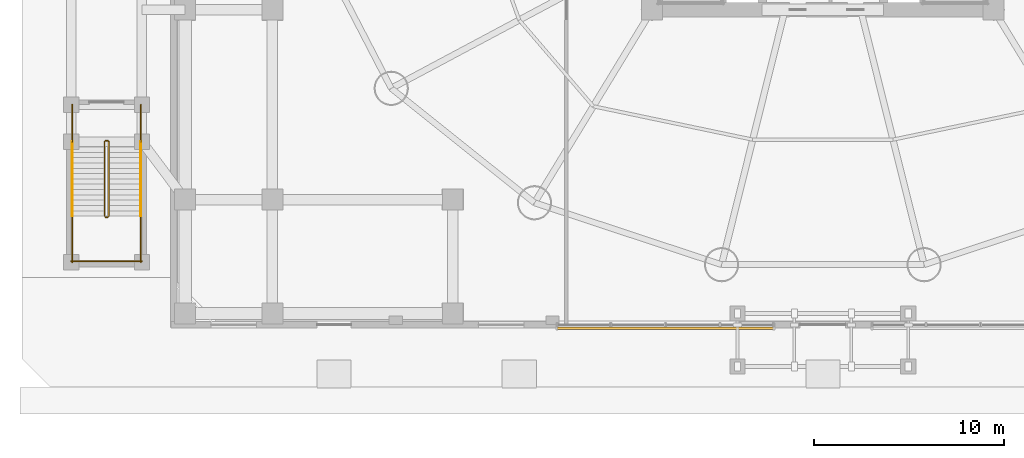
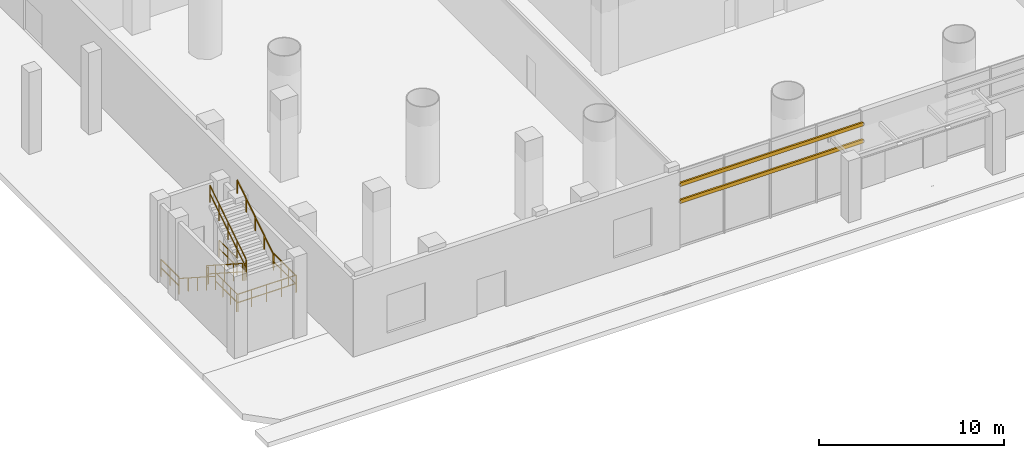
# One storey, part 16 of 25: 11 railings, 2 shading devices.
"""IFC4 building model written with IfcOpenShell, lengths in metres."""

import ifcopenshell
import ifcopenshell.guid

model = None  # the IFC model being written
_history = None  # IfcOwnerHistory: only IFC2X3 demands one
_inside = {}  # id of a spatial element -> (the spatial element, [elements in it])
_under = {}  # id of a project, library or spatial element -> (it, [spatial elements below it])
_declared = {}  # id of a project -> (the project, [libraries it declares])
_typed = {}  # id of a type object -> (the type object, [elements of that type])
_made_of = {}  # id of a material, layer set ... -> (it, [elements and type objects made of it])


def new_model(schema):
    """Start an empty IFC model of exactly this schema.

    Asked for "IFC4X3", IfcOpenShell would pick the latest addendum, in which some entities
    have other attributes; the version numbers below select the first issue.
    IFC2X3 requires an IfcOwnerHistory on every rooted entity: one is made here for all.
    """
    global model, _history
    if schema == "IFC4X3":
        model = ifcopenshell.file(schema_version=(4, 3, 0, 0))
    else:
        model = ifcopenshell.file(schema=schema)
    _inside.clear()
    _under.clear()
    _declared.clear()
    _typed.clear()
    _made_of.clear()
    _history = None
    if model.schema == "IFC2X3":
        org = make("IfcOrganization", Name="unknown")
        user = make(
            "IfcPersonAndOrganization",
            ThePerson=make("IfcPerson", FamilyName="unknown"),
            TheOrganization=org,
        )
        app = make(
            "IfcApplication",
            ApplicationDeveloper=org,
            Version="unknown",
            ApplicationFullName="unknown",
            ApplicationIdentifier="unknown",
        )
        _history = make(
            "IfcOwnerHistory",
            OwningUser=user,
            OwningApplication=app,
            ChangeAction="ADDED",
            CreationDate=0,
        )
    return model


def make(cls, **values):
    """One entity of the class cls with the attributes given. An attribute that is None is left unset."""
    return model.create_entity(
        cls, **{name: value for name, value in values.items() if value is not None}
    )


def rooted(cls, **values):
    """An entity with a GlobalId (a new one), such as an element, a storey or a relation."""
    return make(cls, GlobalId=ifcopenshell.guid.new(), OwnerHistory=_history, **values)


def si_unit(unit_type, name, prefix=None):
    """IfcSIUnit, for example si_unit("LENGTHUNIT", "METRE", prefix="MILLI")."""
    return make("IfcSIUnit", UnitType=unit_type, Prefix=prefix, Name=name)


def assignment(units):
    """IfcUnitAssignment: the units of a project."""
    return None if units is None else make("IfcUnitAssignment", Units=units)


def point(xyz):
    """IfcCartesianPoint."""
    return None if xyz is None else make("IfcCartesianPoint", Coordinates=xyz)


def direction(xyz):
    """IfcDirection."""
    return None if xyz is None else make("IfcDirection", DirectionRatios=xyz)


def frame(location, z_axis=None, x_axis=None):
    """IfcAxis2Placement3D, a coordinate frame: its origin and axes. An axis left out is left unset."""
    return make(
        "IfcAxis2Placement3D",
        Location=point(location),
        Axis=direction(z_axis),
        RefDirection=direction(x_axis),
    )


def frame_2d(location, x_axis=None):
    """IfcAxis2Placement2D, a coordinate frame in the plane: its origin and x axis."""
    return make(
        "IfcAxis2Placement2D", Location=point(location), RefDirection=direction(x_axis)
    )


def origin():
    """The frame at (0, 0, 0) with its axes left unset."""
    return frame((0.0, 0.0, 0.0))


def origin_2d():
    """The frame at (0, 0) in the plane with its x axis left unset."""
    return frame_2d((0.0, 0.0))


def place(relative_to, where):
    """IfcLocalPlacement: puts the frame where relative to a parent placement (None: the world)."""
    return make(
        "IfcLocalPlacement", PlacementRelTo=relative_to, RelativePlacement=where
    )


def context(
    kind, dimensions, precision=None, world=None, true_north=None, identifier=None
):
    """IfcGeometricRepresentationContext, for example the 3D "Model" context."""
    return make(
        "IfcGeometricRepresentationContext",
        ContextIdentifier=identifier,
        ContextType=kind,
        CoordinateSpaceDimension=dimensions,
        Precision=precision,
        WorldCoordinateSystem=world,
        TrueNorth=true_north,
    )


def subcontext(parent, identifier, kind, view, scale=None):
    """IfcGeometricRepresentationSubContext, for example "Body" below "Model"."""
    return make(
        "IfcGeometricRepresentationSubContext",
        ContextIdentifier=identifier,
        ContextType=kind,
        ParentContext=parent,
        TargetScale=scale,
        TargetView=view,
    )


def project(units=None, contexts=None):
    """IfcProject with its units and contexts."""
    return rooted(
        "IfcProject",
        Name="project",
        RepresentationContexts=contexts,
        UnitsInContext=assignment(units),
    )


def spatial(cls, under=None, at=None, **own):
    """A site, building, storey or space (cls), placed at a placement, below another one or the project."""
    s = rooted(cls, ObjectPlacement=at, **own)
    if under is not None:
        _under.setdefault(under.id(), (under, []))[1].append(s)
    return s


def profile(cls, at=None, kind="AREA", **sizes):
    """A parametric profile (cls). Its sizes go by their IFC names, for example OverallWidth=200.0."""
    return make(cls, ProfileType=kind, Position=at, **sizes)


def rectangle(**sizes):
    """IfcRectangleProfileDef."""
    return profile("IfcRectangleProfileDef", **sizes)


def hollow_rectangle(**sizes):
    """IfcRectangleHollowProfileDef."""
    return profile("IfcRectangleHollowProfileDef", **sizes)


def extrude(swept, where, along, depth):
    """IfcExtrudedAreaSolid: the profile swept, set in the frame where, extruded along a direction by depth."""
    return make(
        "IfcExtrudedAreaSolid",
        SweptArea=swept,
        Position=where,
        ExtrudedDirection=direction(along),
        Depth=depth,
    )


def shape(context_of_items, identifier, shape_type, items):
    """IfcShapeRepresentation: the items that make up one representation, for example the "Body"."""
    return make(
        "IfcShapeRepresentation",
        ContextOfItems=context_of_items,
        RepresentationIdentifier=identifier,
        RepresentationType=shape_type,
        Items=items,
    )


def source(mapping_origin, context_of_items, identifier, shape_type, items):
    """IfcRepresentationMap: a shape defined once, which mapped items show again and again."""
    return make(
        "IfcRepresentationMap",
        MappingOrigin=mapping_origin,
        MappedRepresentation=shape(context_of_items, identifier, shape_type, items),
    )


def transform(
    local_origin,
    x_axis=None,
    y_axis=None,
    z_axis=None,
    scale=None,
    scale2=None,
    scale3=None,
    uniform=True,
):
    """IfcCartesianTransformationOperator3D, or its non-uniform kind. x_axis, y_axis, z_axis: its Axis1, 2, 3."""
    if uniform:
        return make(
            "IfcCartesianTransformationOperator3D",
            Axis1=direction(x_axis),
            Axis2=direction(y_axis),
            LocalOrigin=point(local_origin),
            Scale=scale,
            Axis3=direction(z_axis),
        )
    return make(
        "IfcCartesianTransformationOperator3DnonUniform",
        Axis1=direction(x_axis),
        Axis2=direction(y_axis),
        LocalOrigin=point(local_origin),
        Scale=scale,
        Axis3=direction(z_axis),
        Scale2=scale2,
        Scale3=scale3,
    )


def mapped(mapping_source, mapping_target):
    """IfcMappedItem: shows the shape of a source again, moved by a transform."""
    return make(
        "IfcMappedItem", MappingSource=mapping_source, MappingTarget=mapping_target
    )


def material(Name=None, Category=None):
    """IfcMaterial."""
    return make("IfcMaterial", Name=Name, Category=Category)


def material_profile(
    of_material, cross_section, Name=None, Category=None, Priority=None
):
    """IfcMaterialProfile: a cross section and its material."""
    return make(
        "IfcMaterialProfile",
        Name=Name,
        Material=of_material,
        Profile=cross_section,
        Priority=Priority,
        Category=Category,
    )


def profile_set(profiles, Name=None, composite=None):
    """IfcMaterialProfileSet."""
    return make(
        "IfcMaterialProfileSet",
        Name=Name,
        MaterialProfiles=profiles,
        CompositeProfile=composite,
    )


def made_of(thing, what):
    """Note that an element or type object is made of a material, layer set ...; save() writes the relation."""
    if what is not None:
        _made_of.setdefault(what.id(), (what, []))[1].append(thing)
    return thing


def type_object(cls, material=None, **own):
    """A type object (cls), such as IfcWallType, which elements share."""
    return made_of(rooted(cls, **own), material)


def element(
    cls,
    number,
    at=None,
    inside=None,
    cuts=None,
    type_object=None,
    material=None,
    context=None,
    identifier="Body",
    shape_type=None,
    held_by="IfcProductDefinitionShape",
    body=None,
    shapes=None,
    **own,
):
    """One element of the class cls, such as IfcWall. Its Tag is "e" and its number.

    at: its placement. inside: the storey or other place that contains it. cuts: it is an
    opening in that element (IfcRelVoidsElement). A single representation is given by context,
    identifier, shape_type and body (its items); several are given by shapes. held_by: the class
    of the entity that holds the representations. save() writes the other relations.
    """
    e = rooted(cls, Tag="e%d" % number, ObjectPlacement=at, **own)
    if body is not None:
        shapes = [shape(context, identifier, shape_type, body)]
    if shapes is not None:
        e.Representation = make(held_by, Representations=shapes)
    if inside is not None:
        _inside.setdefault(inside.id(), (inside, []))[1].append(e)
    if cuts is not None:
        rooted(
            "IfcRelVoidsElement", RelatingBuildingElement=cuts, RelatedOpeningElement=e
        )
    if type_object is not None:
        _typed.setdefault(type_object.id(), (type_object, []))[1].append(e)
    return made_of(e, material)


def aggregate(whole, parts):
    """IfcRelAggregates: a whole, such as a stair, and the parts it consists of."""
    return rooted("IfcRelAggregates", RelatingObject=whole, RelatedObjects=parts)


def save(model, path):
    """Write the relations noted so far, then the file.

    IfcRelAggregates (storeys below a building ...), IfcRelContainedInSpatialStructure (elements
    in a storey), IfcRelDefinesByType, IfcRelAssociatesMaterial and IfcRelDeclares: one each for
    every whole, place, type object, material and project.
    """
    for whole, parts in _under.values():
        aggregate(whole, parts)
    for where, things in _inside.values():
        rooted(
            "IfcRelContainedInSpatialStructure",
            RelatedElements=things,
            RelatingStructure=where,
        )
    for kind, things in _typed.values():
        rooted("IfcRelDefinesByType", RelatedObjects=things, RelatingType=kind)
    for what, things in _made_of.values():
        rooted("IfcRelAssociatesMaterial", RelatedObjects=things, RelatingMaterial=what)
    for by, libraries in _declared.values():
        rooted("IfcRelDeclares", RelatingContext=by, RelatedDefinitions=libraries)
    model.write(path)


model = new_model("IFC4")

# Units and contexts
model_context = context("Model", 3, precision=1e-05, world=origin(), true_north=direction((-0.2419218956, 0.970295726276)))
body_context = subcontext(model_context, "Body", "Model", "MODEL_VIEW")
ifc_project = project(units=[si_unit("LENGTHUNIT", "METRE"), si_unit("AREAUNIT", "SQUARE_METRE"), si_unit("VOLUMEUNIT", "CUBIC_METRE"), si_unit("PLANEANGLEUNIT", "RADIAN"), si_unit("MASSUNIT", "GRAM", prefix="KILO")], contexts=[model_context])

# Site, building, storey
site_placement = place(None, origin())
site = spatial("IfcSite", under=ifc_project, at=site_placement, CompositionType="ELEMENT")
building_placement = place(site_placement, origin())
building = spatial("IfcBuilding", under=site, at=building_placement, Name="Cobrevalo Terracotta Tower", CompositionType="ELEMENT")
storey_placement = place(building_placement, origin())
storey = spatial("IfcBuildingStorey", under=building, at=storey_placement, Name="L00", CompositionType="ELEMENT", Elevation=0.0)

# Railings
ifc_material_1 = material(Name="Brushed stainless steel", Category="steel")
railing_type_1 = type_object("IfcRailingType", Name="Stainless Steel Stair Handrail 900", PredefinedType="HANDRAIL", material=ifc_material_1)
railing_1_placement = place(storey_placement, frame((-1.550048828125, 11.85009765625, 0.179931640625)))
element("IfcRailing", 1, at=railing_1_placement, inside=storey, type_object=railing_type_1, Name="L00 ST-EXT-W stair handrail 1", PredefinedType="HANDRAIL", context=body_context, shape_type="SweptSolid", body=[
    extrude(rectangle(XDim=0.048095703125, YDim=0.048095703125, at=origin_2d()), frame((0.0, 0.0, 0.8759765625), z_axis=(0.0, -0.841186985886, 0.540744352514), x_axis=(1.0, 0.0, 0.0)), (0.0, 0.0, 1.0), 4.660400390625),
    extrude(rectangle(XDim=0.0419921875, YDim=0.0419921875, at=origin_2d()), origin(), (0.0, 0.0, 1.0), 0.851806640625),
    extrude(rectangle(XDim=0.0419921875, YDim=0.0419921875, at=origin_2d()), frame((0.0, -0.97998046875, 0.6298828125)), (0.0, 0.0, 1.0), 0.851806640625),
    extrude(rectangle(XDim=0.0419921875, YDim=0.0419921875, at=origin_2d()), frame((0.0, -1.9599609375, 1.260009765625)), (0.0, 0.0, 1.0), 0.851806640625),
    extrude(rectangle(XDim=0.0419921875, YDim=0.0419921875, at=origin_2d()), frame((0.0, -2.940185546875, 1.89013671875)), (0.0, 0.0, 1.0), 0.851806640625),
    extrude(rectangle(XDim=0.0419921875, YDim=0.0419921875, at=origin_2d()), frame((0.0, -3.920166015625, 2.52001953125)), (0.0, 0.0, 1.0), 0.851806640625),
])
railing_2_placement = place(storey_placement, frame((2.070068359375, 7.929931640625, 2.8798828125)))
element("IfcRailing", 2, at=railing_2_placement, inside=storey, type_object=railing_type_1, Name="L00 ST-EXT-W stair handrail 2", PredefinedType="HANDRAIL", context=body_context, shape_type="SweptSolid", body=[
    extrude(rectangle(XDim=0.048095703125, YDim=0.048095703125, at=origin_2d()), frame((0.0, 0.0, 0.8759765625), z_axis=(0.0, 0.841186985886, 0.540744352514), x_axis=(-1.0, 0.0, 0.0)), (0.0, 0.0, 1.0), 4.660400390625),
    extrude(rectangle(XDim=0.0419921875, YDim=0.0419921875, at=origin_2d()), origin(), (0.0, 0.0, 1.0), 0.851806640625),
    extrude(rectangle(XDim=0.0419921875, YDim=0.0419921875, at=origin_2d()), frame((0.0, 0.97998046875, 0.6298828125)), (0.0, 0.0, 1.0), 0.851806640625),
    extrude(rectangle(XDim=0.0419921875, YDim=0.0419921875, at=origin_2d()), frame((0.0, 1.9599609375, 1.260009765625)), (0.0, 0.0, 1.0), 0.851806640625),
    extrude(rectangle(XDim=0.0419921875, YDim=0.0419921875, at=origin_2d()), frame((0.0, 2.940185546875, 1.89013671875)), (0.0, 0.0, 1.0), 0.851806640625),
    extrude(rectangle(XDim=0.0419921875, YDim=0.0419921875, at=origin_2d()), frame((0.0, 3.920166015625, 2.52001953125)), (0.0, 0.0, 1.0), 0.851806640625),
])
ifc_material_2 = material(Name="Painted galvanized steel", Category="steel")
railing_type_2 = type_object("IfcRailingType", Name="Stair Well Guard Balustrade 1150", PredefinedType="GUARDRAIL", material=ifc_material_2)
railing_3_placement = place(storey_placement, frame((0.14990234375, 11.85009765625, 0.179931640625)))
element("IfcRailing", 3, at=railing_3_placement, inside=storey, type_object=railing_type_2, Name="L00 ST-EXT-W stair guard 1", PredefinedType="GUARDRAIL", context=body_context, shape_type="SweptSolid", body=[
    extrude(rectangle(XDim=0.048095703125, YDim=0.048095703125, at=origin_2d()), frame((0.0, 0.0, 1.1259765625), z_axis=(0.0, -0.841186985886, 0.540744352514), x_axis=(1.0, 0.0, 0.0)), (0.0, 0.0, 1.0), 4.660400390625),
    extrude(rectangle(XDim=0.048095703125, YDim=0.048095703125, at=origin_2d()), frame((0.0, 0.0, 0.574951171875), z_axis=(0.0, -0.841186985886, 0.540744352514), x_axis=(1.0, 0.0, 0.0)), (0.0, 0.0, 1.0), 4.660400390625),
    extrude(rectangle(XDim=0.0419921875, YDim=0.0419921875, at=origin_2d()), origin(), (0.0, 0.0, 1.0), 1.101806640625),
    extrude(rectangle(XDim=0.0419921875, YDim=0.0419921875, at=origin_2d()), frame((0.0, -0.97998046875, 0.6298828125)), (0.0, 0.0, 1.0), 1.101806640625),
    extrude(rectangle(XDim=0.0419921875, YDim=0.0419921875, at=origin_2d()), frame((0.0, -1.9599609375, 1.260009765625)), (0.0, 0.0, 1.0), 1.101806640625),
    extrude(rectangle(XDim=0.0419921875, YDim=0.0419921875, at=origin_2d()), frame((0.0, -2.940185546875, 1.89013671875)), (0.0, 0.0, 1.0), 1.101806640625),
    extrude(rectangle(XDim=0.0419921875, YDim=0.0419921875, at=origin_2d()), frame((0.0, -3.920166015625, 2.52001953125)), (0.0, 0.0, 1.0), 1.101806640625),
])
railing_4_placement = place(storey_placement, frame((0.199951171875, 7.8798828125, 2.699951171875)))
element("IfcRailing", 4, at=railing_4_placement, inside=storey, type_object=railing_type_2, Name="L00 ST-EXT-W stair guard 2", PredefinedType="GUARDRAIL", context=body_context, shape_type="SweptSolid", body=[
    extrude(rectangle(XDim=0.048095703125, YDim=0.048095703125, at=origin_2d()), frame((0.0, 0.0, 1.1259765625), z_axis=(1.0, 0.0, 0.0), x_axis=(0.0, 1.0, 0.0)), (0.0, 0.0, 1.0), 0.1201171875),
    extrude(rectangle(XDim=0.048095703125, YDim=0.048095703125, at=origin_2d()), frame((0.0, 0.0, 0.574951171875), z_axis=(1.0, 0.0, 0.0), x_axis=(0.0, 1.0, 0.0)), (0.0, 0.0, 1.0), 0.1201171875),
    extrude(rectangle(XDim=0.0419921875, YDim=0.0419921875, at=origin_2d()), origin(), (0.0, 0.0, 1.0), 1.101806640625),
    extrude(rectangle(XDim=0.0419921875, YDim=0.0419921875, at=origin_2d()), frame((0.1201171875, 0.0, 0.0)), (0.0, 0.0, 1.0), 1.101806640625),
])
for number, where, name in (
    (5, (-1.550048828125, 7.929931640625, 2.699951171875), "L00 ST-EXT-W stair guard 3"),
    (6, (2.070068359375, 7.929931640625, 2.699951171875), "L00 ST-EXT-W stair guard 4"),
):
    element("IfcRailing", number, at=place(storey_placement, frame(where)), inside=storey, type_object=railing_type_2, Name=name, PredefinedType="GUARDRAIL", context=body_context, shape_type="SweptSolid", body=[
        extrude(rectangle(XDim=0.048095703125, YDim=0.048095703125, at=origin_2d()), frame((0.0, 0.0, 1.1259765625), z_axis=(0.0, -1.0, 0.0), x_axis=(1.0, 0.0, 0.0)), (0.0, 0.0, 1.0), 2.429931640625),
        extrude(rectangle(XDim=0.048095703125, YDim=0.048095703125, at=origin_2d()), frame((0.0, 0.0, 0.574951171875), z_axis=(0.0, -1.0, 0.0), x_axis=(1.0, 0.0, 0.0)), (0.0, 0.0, 1.0), 2.429931640625),
        extrude(rectangle(XDim=0.0419921875, YDim=0.0419921875, at=origin_2d()), origin(), (0.0, 0.0, 1.0), 1.101806640625),
        extrude(rectangle(XDim=0.0419921875, YDim=0.0419921875, at=origin_2d()), frame((0.0, -0.81005859375, 0.0)), (0.0, 0.0, 1.0), 1.101806640625),
        extrude(rectangle(XDim=0.0419921875, YDim=0.0419921875, at=origin_2d()), frame((0.0, -1.619873046875, 0.0)), (0.0, 0.0, 1.0), 1.101806640625),
        extrude(rectangle(XDim=0.0419921875, YDim=0.0419921875, at=origin_2d()), frame((0.0, -2.429931640625, 0.0)), (0.0, 0.0, 1.0), 1.101806640625),
    ])
railing_5_placement = place(storey_placement, frame((-1.60009765625, 5.550048828125, 2.699951171875)))
element("IfcRailing", 7, at=railing_5_placement, inside=storey, type_object=railing_type_2, Name="L00 ST-EXT-W stair guard 5", PredefinedType="GUARDRAIL", context=body_context, shape_type="SweptSolid", body=[
    extrude(rectangle(XDim=0.048095703125, YDim=0.048095703125, at=origin_2d()), frame((0.0, 0.0, 1.1259765625), z_axis=(1.0, 0.0, 0.0), x_axis=(0.0, 1.0, 0.0)), (0.0, 0.0, 1.0), 3.72021484375),
    extrude(rectangle(XDim=0.048095703125, YDim=0.048095703125, at=origin_2d()), frame((0.0, 0.0, 0.574951171875), z_axis=(1.0, 0.0, 0.0), x_axis=(0.0, 1.0, 0.0)), (0.0, 0.0, 1.0), 3.72021484375),
    extrude(rectangle(XDim=0.0419921875, YDim=0.0419921875, at=origin_2d()), origin(), (0.0, 0.0, 1.0), 1.101806640625),
    extrude(rectangle(XDim=0.0419921875, YDim=0.0419921875, at=origin_2d()), frame((0.93017578125, 0.0, 0.0)), (0.0, 0.0, 1.0), 1.101806640625),
    extrude(rectangle(XDim=0.0419921875, YDim=0.0419921875, at=origin_2d()), frame((1.860107421875, 0.0, 0.0)), (0.0, 0.0, 1.0), 1.101806640625),
    extrude(rectangle(XDim=0.0419921875, YDim=0.0419921875, at=origin_2d()), frame((2.7900390625, 0.0, 0.0)), (0.0, 0.0, 1.0), 1.101806640625),
    extrude(rectangle(XDim=0.0419921875, YDim=0.0419921875, at=origin_2d()), frame((3.72021484375, 0.0, 0.0)), (0.0, 0.0, 1.0), 1.101806640625),
])
railing_6_placement = place(storey_placement, frame((0.3701171875, 7.929931640625, 2.8798828125)))
element("IfcRailing", 8, at=railing_6_placement, inside=storey, type_object=railing_type_2, Name="L00 ST-EXT-W stair guard 6", PredefinedType="GUARDRAIL", context=body_context, shape_type="SweptSolid", body=[
    extrude(rectangle(XDim=0.048095703125, YDim=0.048095703125, at=origin_2d()), frame((0.0, 0.0, 1.1259765625), z_axis=(0.0, 0.841186985886, 0.540744352514), x_axis=(-1.0, 0.0, 0.0)), (0.0, 0.0, 1.0), 4.660400390625),
    extrude(rectangle(XDim=0.048095703125, YDim=0.048095703125, at=origin_2d()), frame((0.0, 0.0, 0.574951171875), z_axis=(0.0, 0.841186985886, 0.540744352514), x_axis=(-1.0, 0.0, 0.0)), (0.0, 0.0, 1.0), 4.660400390625),
    extrude(rectangle(XDim=0.0419921875, YDim=0.0419921875, at=origin_2d()), origin(), (0.0, 0.0, 1.0), 1.101806640625),
    extrude(rectangle(XDim=0.0419921875, YDim=0.0419921875, at=origin_2d()), frame((0.0, 0.97998046875, 0.6298828125)), (0.0, 0.0, 1.0), 1.101806640625),
    extrude(rectangle(XDim=0.0419921875, YDim=0.0419921875, at=origin_2d()), frame((0.0, 1.9599609375, 1.260009765625)), (0.0, 0.0, 1.0), 1.101806640625),
    extrude(rectangle(XDim=0.0419921875, YDim=0.0419921875, at=origin_2d()), frame((0.0, 2.940185546875, 1.89013671875)), (0.0, 0.0, 1.0), 1.101806640625),
    extrude(rectangle(XDim=0.0419921875, YDim=0.0419921875, at=origin_2d()), frame((0.0, 3.920166015625, 2.52001953125)), (0.0, 0.0, 1.0), 1.101806640625),
])
railing_7_placement = place(storey_placement, frame((0.199951171875, 11.89990234375, 0.0)))
element("IfcRailing", 9, at=railing_7_placement, inside=storey, type_object=railing_type_2, Name="L00 ST-EXT-W stair guard 7", PredefinedType="GUARDRAIL", context=body_context, shape_type="SweptSolid", body=[
    extrude(rectangle(XDim=0.048095703125, YDim=0.048095703125, at=origin_2d()), frame((0.0, 0.0, 1.1259765625), z_axis=(1.0, 0.0, 0.0), x_axis=(0.0, 1.0, 0.0)), (0.0, 0.0, 1.0), 0.1201171875),
    extrude(rectangle(XDim=0.048095703125, YDim=0.048095703125, at=origin_2d()), frame((0.0, 0.0, 0.574951171875), z_axis=(1.0, 0.0, 0.0), x_axis=(0.0, 1.0, 0.0)), (0.0, 0.0, 1.0), 0.1201171875),
    extrude(rectangle(XDim=0.0419921875, YDim=0.0419921875, at=origin_2d()), origin(), (0.0, 0.0, 1.0), 1.101806640625),
    extrude(rectangle(XDim=0.0419921875, YDim=0.0419921875, at=origin_2d()), frame((0.1201171875, 0.0, 0.0)), (0.0, 0.0, 1.0), 1.101806640625),
])
for number, where, name in (
    (10, (-1.550048828125, 13.800048828125, 0.0), "L00 ST-EXT-W stair guard 8"),
    (11, (2.070068359375, 13.800048828125, 0.0), "L00 ST-EXT-W stair guard 9"),
):
    element("IfcRailing", number, at=place(storey_placement, frame(where)), inside=storey, type_object=railing_type_2, Name=name, PredefinedType="GUARDRAIL", context=body_context, shape_type="SweptSolid", body=[
        extrude(rectangle(XDim=0.048095703125, YDim=0.048095703125, at=origin_2d()), frame((0.0, 0.0, 1.1259765625), z_axis=(0.0, -1.0, 0.0), x_axis=(1.0, 0.0, 0.0)), (0.0, 0.0, 1.0), 1.949951171875),
        extrude(rectangle(XDim=0.048095703125, YDim=0.048095703125, at=origin_2d()), frame((0.0, 0.0, 0.574951171875), z_axis=(0.0, -1.0, 0.0), x_axis=(1.0, 0.0, 0.0)), (0.0, 0.0, 1.0), 1.949951171875),
        extrude(rectangle(XDim=0.0419921875, YDim=0.0419921875, at=origin_2d()), origin(), (0.0, 0.0, 1.0), 1.101806640625),
        extrude(rectangle(XDim=0.0419921875, YDim=0.0419921875, at=origin_2d()), frame((0.0, -0.97509765625, 0.0)), (0.0, 0.0, 1.0), 1.101806640625),
        extrude(rectangle(XDim=0.0419921875, YDim=0.0419921875, at=origin_2d()), frame((0.0, -1.949951171875, 0.0)), (0.0, 0.0, 1.0), 1.101806640625),
    ])

# Shading devices
ifc_material_3 = material(Name="Extruded fired architectural terracotta", Category="masonry")
ifc_material_profile = material_profile(ifc_material_3, hollow_rectangle(XDim=0.110107421875, YDim=0.239990234375, WallThickness=0.01806640625, at=origin_2d()), Name="BAGUETTE 110x240")
ifc_profile_set = profile_set([ifc_material_profile], Name="Extruded fired architectural terracotta")
shading_device_type = type_object("IfcShadingDeviceType", Name="Horizontal Terracotta Baguette Screen 110x240", PredefinedType="USERDEFINED", material=ifc_profile_set)
shared_shape = source(origin(), body_context, "Body", "SweptSolid", [
    extrude(hollow_rectangle(XDim=0.110107421875, YDim=0.239990234375, WallThickness=0.01806640625, at=origin_2d()), origin(), (0.0, 0.0, 1.0), 11.419921875),
])
for number, where, z_axis, x_axis, name in (
    (12, (23.989990234375, 2.02001953125, 3.162109375), (1.0, 0.0, 0.0), (0.0, 1.0, 0.0), "CW-L00-S-LOB1 horizontal terracotta baguette 1"),
    (13, (23.989990234375, 2.02001953125, 4.283935546875), (1.0, 0.0, 0.0), (0.0, 1.0, 0.0), "CW-L00-S-LOB1 horizontal terracotta baguette 2"),
):
    element("IfcShadingDevice", number, at=place(storey_placement, frame(where, z_axis=z_axis, x_axis=x_axis)), inside=storey, type_object=shading_device_type, Name=name, ObjectType="BAGUETTE", PredefinedType="USERDEFINED", context=body_context, shape_type="MappedRepresentation", body=[
        mapped(shared_shape, transform((0.0, 0.0, 0.0), scale=1.0)),
    ])

save(model, "model.ifc")
